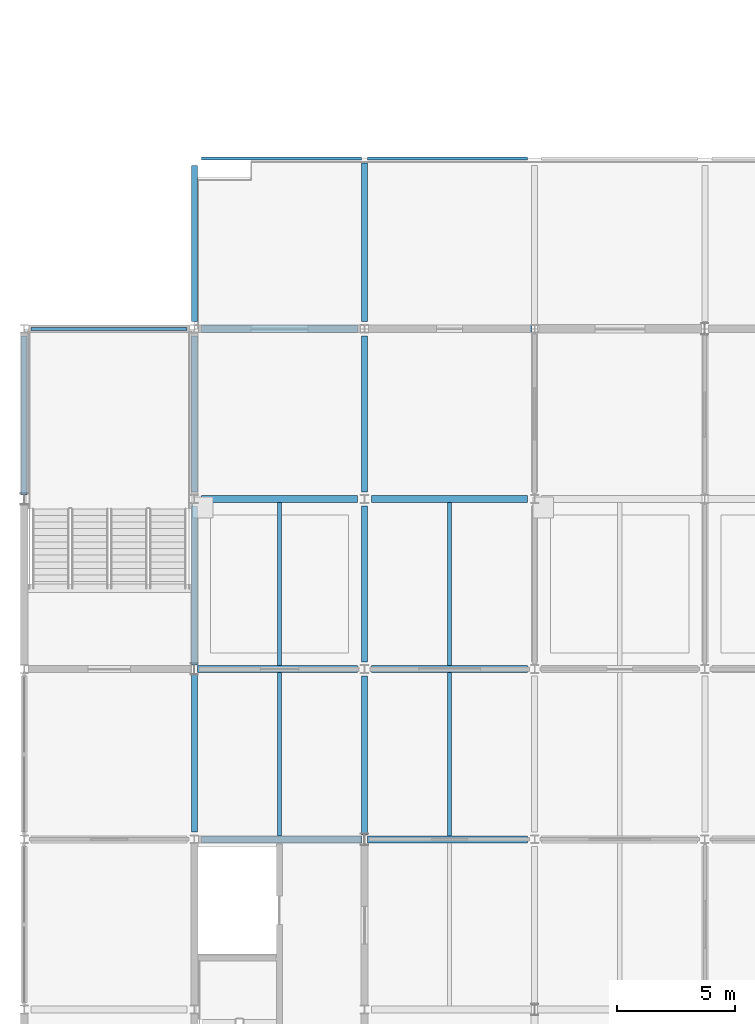
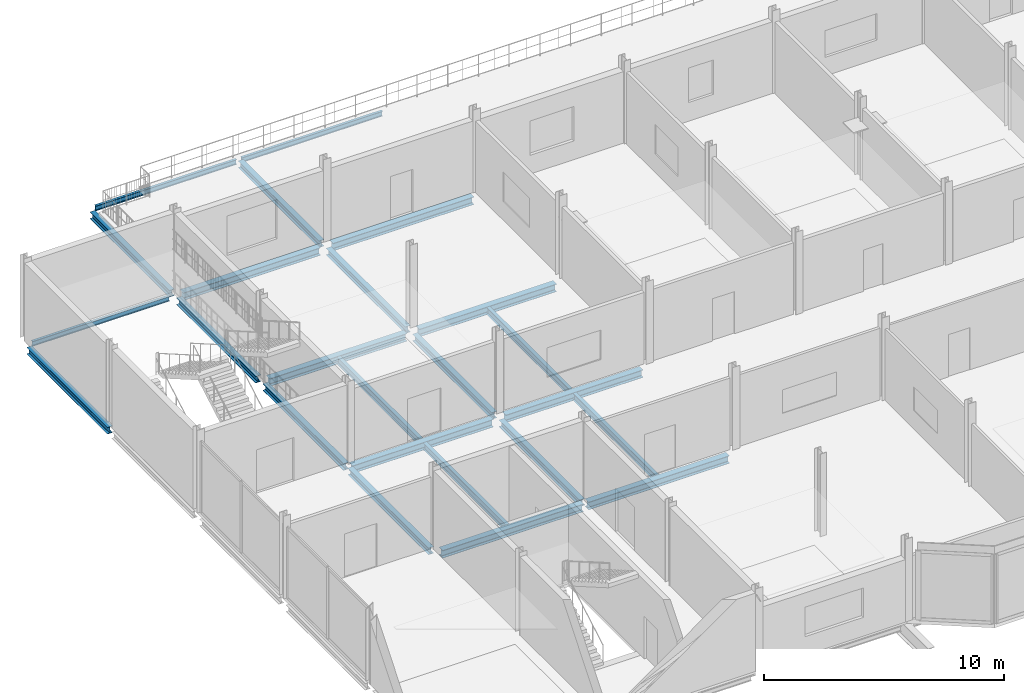
# One storey, part 8 of 26: 24 beams.
"""IFC4 building model written with IfcOpenShell, lengths in metres."""

from ifc_helpers import new_model, si_unit, direction, frame, origin, origin_2d, place, context, subcontext, project, spatial, i_section, extrude, material, material_profile, profile_set, type_object, element, save


model = new_model("IFC4")

# Units and contexts
model_context = context("Model", 3, precision=1e-05, world=origin(), true_north=direction((0.0, 1.0)))
body_context = subcontext(model_context, "Body", "Model", "MODEL_VIEW")
ifc_project = project(units=[si_unit("LENGTHUNIT", "METRE"), si_unit("AREAUNIT", "SQUARE_METRE"), si_unit("VOLUMEUNIT", "CUBIC_METRE"), si_unit("PLANEANGLEUNIT", "RADIAN"), si_unit("MASSUNIT", "GRAM", prefix="KILO")], contexts=[model_context])

# Site, building, storey
site_placement = place(None, origin())
site = spatial("IfcSite", under=ifc_project, at=site_placement, CompositionType="ELEMENT")
building_placement = place(site_placement, origin())
building = spatial("IfcBuilding", under=site, at=building_placement, Name="Vesperath Aquatics Centre", CompositionType="ELEMENT")
storey_placement = place(building_placement, frame((0.0, 0.0, 19.199951171875)))
storey = spatial("IfcBuildingStorey", under=building, at=storey_placement, Name="L04", CompositionType="ELEMENT", Elevation=19.199951171875)

# Beams
ifc_material = material(Name="Steel Q355C", Category="steel")
ifc_material_profile_1 = material_profile(ifc_material, i_section(OverallWidth=0.300048828125, OverallDepth=0.389892578125, WebThickness=0.010009765625, FlangeThickness=0.01611328125, FilletRadius=0.02197265625, at=origin_2d()), Name="HM 390x300x10x16")
ifc_profile_set_1 = profile_set([ifc_material_profile_1], Name="Steel Q355C")
beam_type_1 = type_object("IfcBeamType", Name="BM-G11", PredefinedType="BEAM", material=ifc_profile_set_1)
for number, where, z_axis, x_axis, name in (
    (1, (122.699951171875, 14.39990234375, -0.43505859375), (1.0, 0.0, 0.0), (0.0, 1.0, 0.0), "Floor Girder B11 L04 C 18-19"),
    (2, (122.52490234375, 21.60009765625, -0.43505859375), (1.0, 0.0, 0.0), (0.0, 1.0, 0.0), "Floor Girder B11 L04 D 18-19"),
):
    element("IfcBeam", number, at=place(storey_placement, frame(where, z_axis=z_axis, x_axis=x_axis)), inside=storey, type_object=beam_type_1, Name=name, PredefinedType="BEAM", context=body_context, shape_type="SweptSolid", body=[
        extrude(i_section(OverallWidth=0.300048828125, OverallDepth=0.389892578125, WebThickness=0.010009765625, FlangeThickness=0.01611328125, FilletRadius=0.02197265625, at=origin_2d()), origin(), (0.0, 0.0, 1.0), 6.775146484375),
    ])
for number, where, z_axis, x_axis, name in (
    (3, (122.699951171875, 28.800048828125, -0.43505859375), (1.0, 0.0, 0.0), (0.0, 1.0, 0.0), "Floor Girder B11 L04 E 18-19"),
    (4, (122.699951171875, 36.0, -0.43505859375), (1.0, 0.0, 0.0), (0.0, 1.0, 0.0), "Floor Girder B11 L04 F 18-19"),
):
    element("IfcBeam", number, at=place(storey_placement, frame(where, z_axis=z_axis, x_axis=x_axis)), inside=storey, type_object=beam_type_1, Name=name, PredefinedType="BEAM", context=body_context, shape_type="SweptSolid", body=[
        extrude(i_section(OverallWidth=0.300048828125, OverallDepth=0.389892578125, WebThickness=0.010009765625, FlangeThickness=0.01611328125, FilletRadius=0.02197265625, at=origin_2d()), origin(), (0.0, 0.0, 1.0), 6.60009765625),
    ])
beam_1_placement = place(storey_placement, frame((129.72509765625, 14.39990234375, -0.43505859375), z_axis=(1.0, 0.0, 0.0), x_axis=(0.0, 1.0, 0.0)))
element("IfcBeam", 5, at=beam_1_placement, inside=storey, type_object=beam_type_1, Name="Floor Girder B11 L04 C 19-20", PredefinedType="BEAM", context=body_context, shape_type="SweptSolid", body=[
    extrude(i_section(OverallWidth=0.300048828125, OverallDepth=0.389892578125, WebThickness=0.010009765625, FlangeThickness=0.01611328125, FilletRadius=0.02197265625, at=origin_2d()), origin(), (0.0, 0.0, 1.0), 6.77490234375),
])
for number, where, z_axis, x_axis, name in (
    (6, (129.89990234375, 21.60009765625, -0.43505859375), (1.0, 0.0, 0.0), (0.0, 1.0, 0.0), "Floor Girder B11 L04 D 19-20"),
    (7, (129.89990234375, 28.800048828125, -0.43505859375), (1.0, 0.0, 0.0), (0.0, 1.0, 0.0), "Floor Girder B11 L04 E 19-20"),
):
    element("IfcBeam", number, at=place(storey_placement, frame(where, z_axis=z_axis, x_axis=x_axis)), inside=storey, type_object=beam_type_1, Name=name, PredefinedType="BEAM", context=body_context, shape_type="SweptSolid", body=[
        extrude(i_section(OverallWidth=0.300048828125, OverallDepth=0.389892578125, WebThickness=0.010009765625, FlangeThickness=0.01611328125, FilletRadius=0.02197265625, at=origin_2d()), origin(), (0.0, 0.0, 1.0), 6.60009765625),
    ])
beam_2_placement = place(storey_placement, frame((129.89990234375, 36.0, -0.43505859375), z_axis=(1.0, 0.0, 0.0), x_axis=(0.0, 1.0, 0.0)))
element("IfcBeam", 8, at=beam_2_placement, inside=storey, type_object=beam_type_1, Name="Floor Girder B11 L04 F 19-20", PredefinedType="BEAM", context=body_context, shape_type="SweptSolid", body=[
    extrude(i_section(OverallWidth=0.300048828125, OverallDepth=0.389892578125, WebThickness=0.010009765625, FlangeThickness=0.01611328125, FilletRadius=0.02197265625, at=origin_2d()), origin(), (0.0, 0.0, 1.0), 6.775146484375),
])
ifc_material_profile_2 = material_profile(ifc_material, i_section(OverallWidth=0.25, OverallDepth=0.340087890625, WebThickness=0.009033203125, FlangeThickness=0.013916015625, FilletRadius=0.02001953125, at=origin_2d()), Name="HM 340x250x9x14")
ifc_profile_set_2 = profile_set([ifc_material_profile_2], Name="Steel Q355C")
beam_type_2 = type_object("IfcBeamType", Name="BM-G12", PredefinedType="BEAM", material=ifc_profile_set_2)
beam_3_placement = place(storey_placement, frame((115.199951171875, 28.97509765625, -0.409912109375), z_axis=(0.0, 1.0, 0.0), x_axis=(-1.0, 0.0, 0.0)))
element("IfcBeam", 9, at=beam_3_placement, inside=storey, type_object=beam_type_2, Name="Floor Girder B12 L04 17 E-F", PredefinedType="BEAM", context=body_context, shape_type="SweptSolid", body=[
    extrude(i_section(OverallWidth=0.25, OverallDepth=0.340087890625, WebThickness=0.009033203125, FlangeThickness=0.013916015625, FilletRadius=0.02001953125, at=origin_2d()), origin(), (0.0, 0.0, 1.0), 6.724853515625),
])
for number, where, z_axis, x_axis, name in (
    (10, (122.39990234375, 14.699951171875, -0.409912109375), (0.0, 1.0, 0.0), (-1.0, 0.0, 0.0), "Floor Girder B12 L04 18 C-D"),
    (11, (122.39990234375, 21.77490234375, -0.409912109375), (0.0, 1.0, 0.0), (-1.0, 0.0, 0.0), "Floor Girder B12 L04 18 D-E"),
):
    element("IfcBeam", number, at=place(storey_placement, frame(where, z_axis=z_axis, x_axis=x_axis)), inside=storey, type_object=beam_type_2, Name=name, PredefinedType="BEAM", context=body_context, shape_type="SweptSolid", body=[
        extrude(i_section(OverallWidth=0.25, OverallDepth=0.340087890625, WebThickness=0.009033203125, FlangeThickness=0.013916015625, FilletRadius=0.02001953125, at=origin_2d()), origin(), (0.0, 0.0, 1.0), 6.72509765625),
    ])
for number, where, z_axis, x_axis, name in (
    (12, (122.39990234375, 29.10009765625, -0.409912109375), (0.0, 1.0, 0.0), (-1.0, 0.0, 0.0), "Floor Girder B12 L04 18 E-F"),
    (13, (122.39990234375, 36.300048828125, -0.409912109375), (0.0, 1.0, 0.0), (-1.0, 0.0, 0.0), "Floor Girder B12 L04 18 F-G"),
):
    element("IfcBeam", number, at=place(storey_placement, frame(where, z_axis=z_axis, x_axis=x_axis)), inside=storey, type_object=beam_type_2, Name=name, PredefinedType="BEAM", context=body_context, shape_type="SweptSolid", body=[
        extrude(i_section(OverallWidth=0.25, OverallDepth=0.340087890625, WebThickness=0.009033203125, FlangeThickness=0.013916015625, FilletRadius=0.02001953125, at=origin_2d()), origin(), (0.0, 0.0, 1.0), 6.599853515625),
    ])
beam_4_placement = place(storey_placement, frame((129.60009765625, 14.574951171875, -0.409912109375), z_axis=(0.0, 1.0, 0.0), x_axis=(-1.0, 0.0, 0.0)))
element("IfcBeam", 14, at=beam_4_placement, inside=storey, type_object=beam_type_2, Name="Floor Girder B12 L04 19 C-D", PredefinedType="BEAM", context=body_context, shape_type="SweptSolid", body=[
    extrude(i_section(OverallWidth=0.25, OverallDepth=0.340087890625, WebThickness=0.009033203125, FlangeThickness=0.013916015625, FilletRadius=0.02001953125, at=origin_2d()), origin(), (0.0, 0.0, 1.0), 6.72509765625),
])
beam_5_placement = place(storey_placement, frame((129.60009765625, 21.89990234375, -0.409912109375), z_axis=(0.0, 1.0, 0.0), x_axis=(-1.0, 0.0, 0.0)))
element("IfcBeam", 15, at=beam_5_placement, inside=storey, type_object=beam_type_2, Name="Floor Girder B12 L04 19 D-E", PredefinedType="BEAM", context=body_context, shape_type="SweptSolid", body=[
    extrude(i_section(OverallWidth=0.25, OverallDepth=0.340087890625, WebThickness=0.009033203125, FlangeThickness=0.013916015625, FilletRadius=0.02001953125, at=origin_2d()), origin(), (0.0, 0.0, 1.0), 6.60009765625),
])
beam_6_placement = place(storey_placement, frame((129.60009765625, 29.10009765625, -0.409912109375), z_axis=(0.0, 1.0, 0.0), x_axis=(-1.0, 0.0, 0.0)))
element("IfcBeam", 16, at=beam_6_placement, inside=storey, type_object=beam_type_2, Name="Floor Girder B12 L04 19 E-F", PredefinedType="BEAM", context=body_context, shape_type="SweptSolid", body=[
    extrude(i_section(OverallWidth=0.25, OverallDepth=0.340087890625, WebThickness=0.009033203125, FlangeThickness=0.013916015625, FilletRadius=0.02001953125, at=origin_2d()), origin(), (0.0, 0.0, 1.0), 6.599853515625),
])
beam_7_placement = place(storey_placement, frame((129.60009765625, 36.300048828125, -0.409912109375), z_axis=(0.0, 1.0, 0.0), x_axis=(-1.0, 0.0, 0.0)))
element("IfcBeam", 17, at=beam_7_placement, inside=storey, type_object=beam_type_2, Name="Floor Girder B12 L04 19 F-G", PredefinedType="BEAM", context=body_context, shape_type="SweptSolid", body=[
    extrude(i_section(OverallWidth=0.25, OverallDepth=0.340087890625, WebThickness=0.009033203125, FlangeThickness=0.013916015625, FilletRadius=0.02001953125, at=origin_2d()), origin(), (0.0, 0.0, 1.0), 6.724853515625),
])
ifc_material_profile_3 = material_profile(ifc_material, i_section(OverallWidth=0.175048828125, OverallDepth=0.35009765625, WebThickness=0.007080078125, FlangeThickness=0.010986328125, FilletRadius=0.012939453125, at=origin_2d()), Name="HN 350x175x7x11")
ifc_profile_set_3 = profile_set([ifc_material_profile_3], Name="Steel Q355C")
beam_type_3 = type_object("IfcBeamType", Name="BM-J05", PredefinedType="JOIST", material=ifc_profile_set_3)
for number, where, z_axis, x_axis, name in (
    (18, (126.0, 14.550048828125, -0.4150390625), (0.0, 1.0, 0.0), (-1.0, 0.0, 0.0), "Secondary Floor Joist J05 L04 18/C"),
    (19, (126.0, 21.75, -0.4150390625), (0.0, 1.0, 0.0), (-1.0, 0.0, 0.0), "Secondary Floor Joist J05 L04 18/D"),
    (20, (133.199951171875, 14.550048828125, -0.4150390625), (0.0, 1.0, 0.0), (-1.0, 0.0, 0.0), "Secondary Floor Joist J05 L04 19/C"),
    (21, (133.199951171875, 21.75, -0.4150390625), (0.0, 1.0, 0.0), (-1.0, 0.0, 0.0), "Secondary Floor Joist J05 L04 19/D"),
):
    element("IfcBeam", number, at=place(storey_placement, frame(where, z_axis=z_axis, x_axis=x_axis)), inside=storey, type_object=beam_type_3, Name=name, PredefinedType="JOIST", context=body_context, shape_type="SweptSolid", body=[
        extrude(i_section(OverallWidth=0.175048828125, OverallDepth=0.35009765625, WebThickness=0.007080078125, FlangeThickness=0.010986328125, FilletRadius=0.012939453125, at=origin_2d()), origin(), (0.0, 0.0, 1.0), 6.89990234375),
    ])
ifc_material_profile_4 = material_profile(ifc_material, i_section(OverallWidth=0.125, OverallDepth=0.25, WebThickness=0.006103515625, FlangeThickness=0.009033203125, FilletRadius=0.010009765625, at=origin_2d()), Name="HN 250x125x6x9")
ifc_profile_set_4 = profile_set([ifc_material_profile_4], Name="Steel Q355C")
beam_type_4 = type_object("IfcBeamType", Name="BM-LN01", PredefinedType="LINTEL", material=ifc_profile_set_4)
beam_8_placement = place(storey_placement, frame((115.5, 36.0, -0.364990234375), z_axis=(1.0, 0.0, 0.0), x_axis=(0.0, 1.0, 0.0)))
element("IfcBeam", 22, at=beam_8_placement, inside=storey, type_object=beam_type_4, Name="Floor Girder LN01 L04 F 17-18", PredefinedType="LINTEL", context=body_context, shape_type="SweptSolid", body=[
    extrude(i_section(OverallWidth=0.125, OverallDepth=0.25, WebThickness=0.006103515625, FlangeThickness=0.009033203125, FilletRadius=0.010009765625, at=origin_2d()), origin(), (0.0, 0.0, 1.0), 6.60009765625),
])
beam_9_placement = place(storey_placement, frame((122.699951171875, 43.199951171875, -0.364990234375), z_axis=(1.0, 0.0, 0.0), x_axis=(0.0, 1.0, 0.0)))
element("IfcBeam", 23, at=beam_9_placement, inside=storey, type_object=beam_type_4, Name="Floor Girder LN01 L04 G 18-19", PredefinedType="LINTEL", context=body_context, shape_type="SweptSolid", body=[
    extrude(i_section(OverallWidth=0.125, OverallDepth=0.25, WebThickness=0.006103515625, FlangeThickness=0.009033203125, FilletRadius=0.010009765625, at=origin_2d()), origin(), (0.0, 0.0, 1.0), 6.775146484375),
])
beam_10_placement = place(storey_placement, frame((129.72509765625, 43.199951171875, -0.364990234375), z_axis=(1.0, 0.0, 0.0), x_axis=(0.0, 1.0, 0.0)))
element("IfcBeam", 24, at=beam_10_placement, inside=storey, type_object=beam_type_4, Name="Floor Girder LN01 L04 G 19-20", PredefinedType="LINTEL", context=body_context, shape_type="SweptSolid", body=[
    extrude(i_section(OverallWidth=0.125, OverallDepth=0.25, WebThickness=0.006103515625, FlangeThickness=0.009033203125, FilletRadius=0.010009765625, at=origin_2d()), origin(), (0.0, 0.0, 1.0), 6.77490234375),
])

save(model, "model.ifc")
